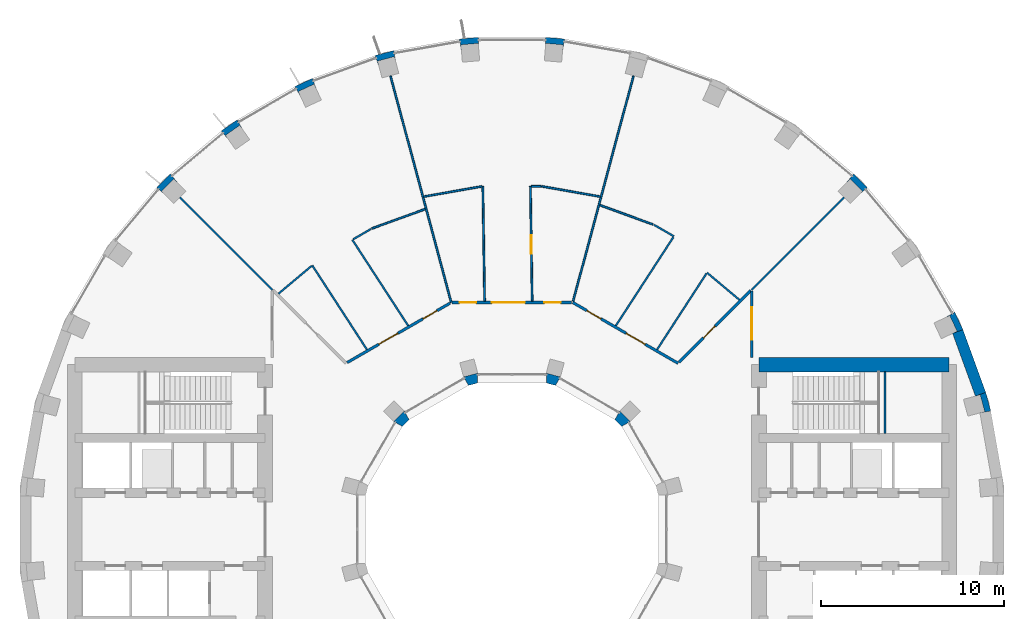
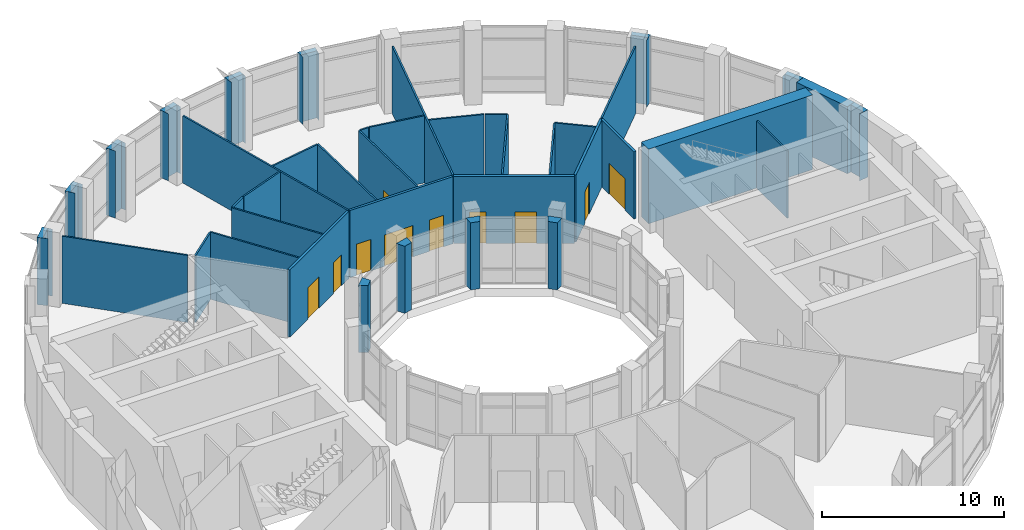
# One storey, part 15 of 18: 40 walls, 10 doors, 10 openings.
"""IFC4 building model written with IfcOpenShell, lengths in metres."""

from ifc_helpers import new_model, si_unit, direction, frame, frame_2d, origin, place, context, subcontext, project, spatial, polyline, rectangle, outline, extrude, material, layer, layer_set, type_object, element, fill, save


model = new_model("IFC4")

# Units and contexts
model_context = context("Model", 3, precision=1e-05, world=origin(), true_north=direction((0.0, 1.0)))
body_context = subcontext(model_context, "Body", "Model", "MODEL_VIEW")
ifc_project = project(units=[si_unit("LENGTHUNIT", "METRE"), si_unit("AREAUNIT", "SQUARE_METRE"), si_unit("VOLUMEUNIT", "CUBIC_METRE"), si_unit("PLANEANGLEUNIT", "RADIAN"), si_unit("MASSUNIT", "GRAM", prefix="KILO")], contexts=[model_context])

# Site, building, storey
site_placement = place(None, origin())
site = spatial("IfcSite", under=ifc_project, at=site_placement, CompositionType="ELEMENT")
building_placement = place(site_placement, origin())
building = spatial("IfcBuilding", under=site, at=building_placement, Name="Saqina Gate Tower", CompositionType="ELEMENT")
storey_placement = place(building_placement, frame((0.0, 0.0, 86.89990234375)))
storey = spatial("IfcBuildingStorey", under=building, at=storey_placement, Name="L24", CompositionType="ELEMENT", Elevation=86.89990234375)

# Walls
ifc_material_1 = material(Name="Brick masonry (buff)", Category="masonry")
wall_type_1 = type_object("IfcWallType", Name="BRICK PIER COPING BUFF", PredefinedType="SOLIDWALL", material=ifc_material_1)
wall_1_placement = place(storey_placement, origin())
element("IfcWall", 1, at=wall_1_placement, inside=storey, type_object=wall_type_1, Name="Pier cap L24 column 2", PredefinedType="SOLIDWALL", context=body_context, shape_type="SweptSolid", body=[
    extrude(outline(polyline([(26.171875, 6.466796875), (25.89892578125, 7.485595703125), (25.335205078125, 7.2802734375), (25.5947265625, 7.349853515625), (25.8408203125, 6.43212890625), (25.5810546875, 6.36279296875), (26.171875, 6.466796875)])), origin(), (0.0, 0.0, 1.0), 4.5),
])
wall_2_placement = place(storey_placement, origin())
element("IfcWall", 2, at=wall_2_placement, inside=storey, type_object=wall_type_1, Name="Pier cap L24 column 3", PredefinedType="SOLIDWALL", context=body_context, shape_type="SweptSolid", body=[
    extrude(outline(polyline([(24.6513671875, 10.913330078125), (24.205810546875, 11.869140625), (23.68603515625, 11.569091796875), (23.9296875, 11.6826171875), (24.331298828125, 10.82177734375), (24.08740234375, 10.7080078125), (24.6513671875, 10.913330078125)])), origin(), (0.0, 0.0, 1.0), 4.5),
])
wall_3_placement = place(storey_placement, origin())
element("IfcWall", 3, at=wall_3_placement, inside=storey, type_object=wall_type_1, Name="Pier cap L24 column 5", PredefinedType="SOLIDWALL", context=body_context, shape_type="SweptSolid", body=[
    extrude(outline(polyline([(19.43212890625, 18.686279296875), (18.686279296875, 19.43212890625), (18.30078125, 18.972412109375), (18.49072265625, 19.16259765625), (19.16259765625, 18.49072265625), (18.972412109375, 18.30078125), (19.43212890625, 18.686279296875)])), origin(), (0.0, 0.0, 1.0), 4.5),
])
wall_4_placement = place(storey_placement, origin())
element("IfcWall", 4, at=wall_4_placement, inside=storey, type_object=wall_type_1, Name="Pier cap L24 column 9", PredefinedType="SOLIDWALL", context=body_context, shape_type="SweptSolid", body=[
    extrude(outline(polyline([(2.87451171875, 26.805419921875), (1.823974609375, 26.897216796875), (1.823974609375, 26.29736328125), (1.847412109375, 26.565185546875), (2.793701171875, 26.482421875), (2.770263671875, 26.214599609375), (2.87451171875, 26.805419921875)])), origin(), (0.0, 0.0, 1.0), 4.5),
])
wall_5_placement = place(storey_placement, origin())
element("IfcWall", 5, at=wall_5_placement, inside=storey, type_object=wall_type_1, Name="Pier cap L24 column 10", PredefinedType="SOLIDWALL", context=body_context, shape_type="SweptSolid", body=[
    extrude(outline(polyline([(-2.87451171875, 26.805419921875), (-2.770263671875, 26.214599609375), (-2.793701171875, 26.482421875), (-1.847412109375, 26.565185546875), (-1.823974609375, 26.29736328125), (-1.823974609375, 26.897216796875), (-2.87451171875, 26.805419921875)])), origin(), (0.0, 0.0, 1.0), 4.5),
])
wall_6_placement = place(storey_placement, origin())
element("IfcWall", 6, at=wall_6_placement, inside=storey, type_object=wall_type_1, Name="Pier cap L24 column 11", PredefinedType="SOLIDWALL", context=body_context, shape_type="SweptSolid", body=[
    extrude(outline(polyline([(-6.466796875, 26.171875), (-7.485595703125, 25.89892578125), (-7.2802734375, 25.335205078125), (-7.349853515625, 25.5947265625), (-6.43212890625, 25.8408203125), (-6.36279296875, 25.5810546875), (-6.466796875, 26.171875)])), origin(), (0.0, 0.0, 1.0), 4.5),
])
wall_7_placement = place(storey_placement, origin())
element("IfcWall", 7, at=wall_7_placement, inside=storey, type_object=wall_type_1, Name="Pier cap L24 column 12", PredefinedType="SOLIDWALL", context=body_context, shape_type="SweptSolid", body=[
    extrude(outline(polyline([(-10.913330078125, 24.6513671875), (-11.869140625, 24.205810546875), (-11.569091796875, 23.68603515625), (-11.6826171875, 23.9296875), (-10.82177734375, 24.331298828125), (-10.7080078125, 24.08740234375), (-10.913330078125, 24.6513671875)])), origin(), (0.0, 0.0, 1.0), 4.5),
])
wall_8_placement = place(storey_placement, origin())
element("IfcWall", 8, at=wall_8_placement, inside=storey, type_object=wall_type_1, Name="Pier cap L24 column 13", PredefinedType="SOLIDWALL", context=body_context, shape_type="SweptSolid", body=[
    extrude(outline(polyline([(-15.89208984375, 21.77685546875), (-15.50634765625, 21.317138671875), (-15.66064453125, 21.53759765625), (-14.88232421875, 22.08251953125), (-14.728271484375, 21.862060546875), (-15.0283203125, 22.3818359375), (-15.89208984375, 21.77685546875)])), origin(), (0.0, 0.0, 1.0), 4.5),
])
wall_9_placement = place(storey_placement, origin())
element("IfcWall", 9, at=wall_9_placement, inside=storey, type_object=wall_type_1, Name="Pier cap L24 column 14", PredefinedType="SOLIDWALL", context=body_context, shape_type="SweptSolid", body=[
    extrude(outline(polyline([(-18.686279296875, 19.43212890625), (-19.43212890625, 18.686279296875), (-18.972412109375, 18.30078125), (-19.16259765625, 18.49072265625), (-18.49072265625, 19.16259765625), (-18.30078125, 18.972412109375), (-18.686279296875, 19.43212890625)])), origin(), (0.0, 0.0, 1.0), 4.5),
])
ifc_material_2 = material(Name="Glazed ceramic tile (dark blue)", Category="ceramic")
ifc_layer_1 = layer(ifc_material_2, 0.60009765625)
ifc_layer_set_1 = layer_set([ifc_layer_1], Name="FW-TILE-CB")
wall_type_2 = type_object("IfcWallType", Name="FW-TILE-CB", PredefinedType="SOLIDWALL", material=ifc_layer_set_1)
wall_10_placement = place(storey_placement, frame((25.616943359375, 7.3828125, 0.0), z_axis=(0.0, 0.0, 1.0), x_axis=(-0.341990236633, 0.939703505393, 0.0)))
element("IfcWall", 10, at=wall_10_placement, inside=storey, type_object=wall_type_2, Name="Facade wall L24 facet 2", PredefinedType="SOLIDWALL", context=body_context, shape_type="SweptSolid", body=[
    extrude(rectangle(XDim=3.64794921875, YDim=0.60009765625, at=frame_2d((1.823974609375, 0.0))), origin(), (0.0, 0.0, 1.0), 4.5),
])
ifc_material_3 = material(Name="Gypsum board on steel studs, 100 mm", Category="steel")
ifc_layer_2 = layer(ifc_material_3, 0.10009765625)
ifc_layer_set_2 = layer_set([ifc_layer_2], Name="SPECIAL PARTITION 100")
wall_type_3 = type_object("IfcWallType", Name="SPECIAL PARTITION 100", PredefinedType="PARTITIONING", material=ifc_layer_set_2)
wall_11_placement = place(storey_placement, frame((-1.594970703125, 18.7470703125, 0.0), z_axis=(0.0, 0.0, 1.0), x_axis=(0.015762930389, -0.999875757295, 0.0)))
element("IfcWall", 11, at=wall_11_placement, inside=storey, type_object=wall_type_3, Name="PARTITION 001", PredefinedType="PARTITIONING", context=body_context, shape_type="SweptSolid", body=[
    extrude(rectangle(XDim=6.272705078125, YDim=0.10009765625, at=frame_2d((3.13623046875, 0.0))), origin(), (0.0, 0.0, 1.0), 4.5),
])

# Wall, opening, door
wall_12_placement = place(storey_placement, frame((1.006103515625, 18.7470703125, 0.0), z_axis=(0.0, 0.0, 1.0), x_axis=(0.015568373772, -0.999878805525, 0.0)))
wall_12 = element("IfcWall", 12, at=wall_12_placement, inside=storey, type_object=wall_type_3, Name="PARTITION 002", PredefinedType="PARTITIONING", context=body_context, shape_type="SweptSolid", body=[
    extrude(rectangle(XDim=6.272705078125, YDim=0.10009765625, at=frame_2d((3.13623046875, 0.0))), origin(), (0.0, 0.0, 1.0), 4.5),
])
opening_1_placement = place(wall_12_placement, frame((2.673828125, 0.0, 0.0)))
opening_1 = element("IfcOpeningElement", 13, at=opening_1_placement, cuts=wall_12, Name="Opening L24-D06", PredefinedType="OPENING", context=body_context, shape_type="SweptSolid", body=[
    extrude(rectangle(XDim=1.0, YDim=2.10009765625, at=frame_2d((0.5, 1.050048828125))), frame((0.0, 0.06201171875, 0.0), z_axis=(0.0, -1.0, 0.0), x_axis=(1.0, 0.0, 0.0)), (0.0, 0.0, 1.0), 0.1240234375),
])
ifc_material_4 = material(Name="Timber door leaf", Category="wood")
door_type_1 = type_object("IfcDoorType", Name="SPECIAL DOOR 1000 TIMBER", OperationType="SINGLE_SWING_LEFT", PredefinedType="DOOR", material=ifc_material_4)
door_1_placement = place(opening_1_placement, frame((1.0, 0.0, 0.0), z_axis=(0.0, 0.0, 1.0), x_axis=(-1.0, 0.0, 0.0)))
door_1 = element("IfcDoor", 14, at=door_1_placement, inside=storey, type_object=door_type_1, Name="DOOR L24-D06", OperationType="SINGLE_SWING_LEFT", OverallHeight=2.10009765625, OverallWidth=1.0, PredefinedType="DOOR", context=body_context, shape_type="SweptSolid", body=[
    extrude(rectangle(XDim=1.0, YDim=2.10009765625, at=frame_2d((0.5, 1.050048828125))), frame((0.0, 0.02490234375, 0.0), z_axis=(0.0, -1.0, 0.0), x_axis=(1.0, 0.0, 0.0)), (0.0, 0.0, 1.0), 0.050048828125),
])
fill(opening_1, door_1)

# Walls
wall_13_placement = place(storey_placement, frame((-6.642578125, 24.79052734375, 0.0), z_axis=(0.0, 0.0, 1.0), x_axis=(0.258784286108, -0.965935139263, 0.0)))
element("IfcWall", 15, at=wall_13_placement, inside=storey, type_object=wall_type_3, Name="PARTITION 003", PredefinedType="PARTITIONING", context=body_context, shape_type="SweptSolid", body=[
    extrude(rectangle(XDim=12.82763671875, YDim=0.10009765625, at=frame_2d((6.413818359375, 0.0))), origin(), (0.0, 0.0, 1.0), 4.5),
])
wall_14_placement = place(storey_placement, frame((-10.919921875, 14.428955078125, 0.0), z_axis=(0.0, 0.0, 1.0), x_axis=(0.54460991282, -0.838689479401, 0.0)))
element("IfcWall", 16, at=wall_14_placement, inside=storey, type_object=wall_type_3, Name="PARTITION 007", PredefinedType="PARTITIONING", context=body_context, shape_type="SweptSolid", body=[
    extrude(rectangle(XDim=5.48828125, YDim=0.10009765625, at=frame_2d((2.744140625, 0.0))), origin(), (0.0, 0.0, 1.0), 4.5),
])
wall_15_placement = place(storey_placement, frame((-8.72900390625, 15.827880859375, 0.0), z_axis=(0.0, 0.0, 1.0), x_axis=(0.544769380459, -0.838585906222, 0.0)))
element("IfcWall", 17, at=wall_15_placement, inside=storey, type_object=wall_type_3, Name="PARTITION 008", PredefinedType="PARTITIONING", context=body_context, shape_type="SweptSolid", body=[
    extrude(rectangle(XDim=5.604736328125, YDim=0.10009765625, at=frame_2d((2.80224609375, 0.0))), origin(), (0.0, 0.0, 1.0), 4.5),
])
wall_16_placement = place(storey_placement, frame((-18.14794921875, 18.14794921875, 0.0), z_axis=(0.0, 0.0, 1.0), x_axis=(0.707106781187, -0.707106781187, 0.0)))
element("IfcWall", 18, at=wall_16_placement, inside=storey, type_object=wall_type_3, Name="PARTITION 009", PredefinedType="PARTITIONING", context=body_context, shape_type="SweptSolid", body=[
    extrude(rectangle(XDim=7.138671875, YDim=0.10009765625, at=frame_2d((3.5693359375, 0.0))), origin(), (0.0, 0.0, 1.0), 4.5),
])
wall_17_placement = place(storey_placement, frame((10.660888671875, 14.030029296875, 0.0), z_axis=(0.0, 0.0, 1.0), x_axis=(0.766117883764, -0.642700076378, 0.0)))
element("IfcWall", 19, at=wall_17_placement, inside=storey, type_object=wall_type_3, Name="PARTITION 014", PredefinedType="PARTITIONING", context=body_context, shape_type="SweptSolid", body=[
    extrude(rectangle(XDim=2.31640625, YDim=0.10009765625, at=frame_2d((1.158203125, 0.0))), origin(), (0.0, 0.0, 1.0), 4.5),
])
wall_18_placement = place(storey_placement, frame((7.761962890625, 16.64599609375, 0.0), z_axis=(0.0, 0.0, 1.0), x_axis=(0.866182356389, -0.499728051525, 0.0)))
element("IfcWall", 20, at=wall_18_placement, inside=storey, type_object=wall_type_3, Name="PARTITION 018", PredefinedType="PARTITIONING", context=body_context, shape_type="SweptSolid", body=[
    extrude(rectangle(XDim=1.258544921875, YDim=0.10009765625, at=frame_2d((0.62939453125, 0.0))), origin(), (0.0, 0.0, 1.0), 4.5),
])
wall_19_placement = place(storey_placement, frame((4.801025390625, 17.723876953125, 0.0), z_axis=(0.0, 0.0, 1.0), x_axis=(0.939676140835, -0.342065418225, 0.0)))
element("IfcWall", 21, at=wall_19_placement, inside=storey, type_object=wall_type_3, Name="PARTITION 020", PredefinedType="PARTITIONING", context=body_context, shape_type="SweptSolid", body=[
    extrude(rectangle(XDim=3.10107421875, YDim=0.10009765625, at=frame_2d((1.550537109375, 0.0))), origin(), (0.0, 0.0, 1.0), 4.5),
])
wall_20_placement = place(storey_placement, frame((1.639892578125, 18.7470703125, 0.0), z_axis=(0.0, 0.0, 1.0), x_axis=(0.984847393416, -0.173423215521, 0.0)))
element("IfcWall", 22, at=wall_20_placement, inside=storey, type_object=wall_type_3, Name="PARTITION 022", PredefinedType="PARTITIONING", context=body_context, shape_type="SweptSolid", body=[
    extrude(rectangle(XDim=3.23095703125, YDim=0.10009765625, at=frame_2d((1.615478515625, 0.0))), origin(), (0.0, 0.0, 1.0), 4.5),
])
wall_21_placement = place(storey_placement, frame((1.055908203125, 18.7470703125, 0.0), z_axis=(0.0, 0.0, 1.0), x_axis=(1.0, 0.0, 0.0)))
element("IfcWall", 23, at=wall_21_placement, inside=storey, type_object=wall_type_3, Name="PARTITION 026", PredefinedType="PARTITIONING", context=body_context, shape_type="SweptSolid", body=[
    extrude(rectangle(XDim=0.5341796875, YDim=0.10009765625, at=frame_2d((0.26708984375, 0.0))), origin(), (0.0, 0.0, 1.0), 4.5),
])
wall_22_placement = place(storey_placement, frame((-4.82177734375, 18.186767578125, 0.0), z_axis=(0.0, 0.0, 1.0), x_axis=(0.984847393416, 0.173423215521, 0.0)))
element("IfcWall", 24, at=wall_22_placement, inside=storey, type_object=wall_type_3, Name="PARTITION 028", PredefinedType="PARTITIONING", context=body_context, shape_type="SweptSolid", body=[
    extrude(rectangle(XDim=3.23095703125, YDim=0.10009765625, at=frame_2d((1.615478515625, 0.0))), origin(), (0.0, 0.0, 1.0), 4.5),
])
wall_23_placement = place(storey_placement, frame((-7.6669921875, 16.44189453125, 0.0), z_axis=(0.0, 0.0, 1.0), x_axis=(0.93972467972, 0.34193204928, 0.0)))
element("IfcWall", 25, at=wall_23_placement, inside=storey, type_object=wall_type_3, Name="PARTITION 030", PredefinedType="PARTITIONING", context=body_context, shape_type="SweptSolid", body=[
    extrude(rectangle(XDim=3.111572265625, YDim=0.10009765625, at=frame_2d((1.5556640625, 0.0))), origin(), (0.0, 0.0, 1.0), 4.5),
])
wall_24_placement = place(storey_placement, frame((-8.685791015625, 15.85302734375, 0.0), z_axis=(0.0, 0.0, 1.0), x_axis=(0.865752432539, 0.500472502294, 0.0)))
element("IfcWall", 26, at=wall_24_placement, inside=storey, type_object=wall_type_3, Name="PARTITION 034", PredefinedType="PARTITIONING", context=body_context, shape_type="SweptSolid", body=[
    extrude(rectangle(XDim=1.126953125, YDim=0.10009765625, at=frame_2d((0.5634765625, 0.0))), origin(), (0.0, 0.0, 1.0), 4.5),
])
wall_25_placement = place(storey_placement, frame((-12.7705078125, 12.876220703125, 0.0), z_axis=(0.0, 0.0, 1.0), x_axis=(0.766025974986, 0.642809618508, 0.0)))
element("IfcWall", 27, at=wall_25_placement, inside=storey, type_object=wall_type_3, Name="PARTITION 036", PredefinedType="PARTITIONING", context=body_context, shape_type="SweptSolid", body=[
    extrude(rectangle(XDim=2.36572265625, YDim=0.10009765625, at=frame_2d((1.182861328125, 0.0))), origin(), (0.0, 0.0, 1.0), 4.5),
])
wall_26_placement = place(storey_placement, frame((13.10009765625, 13.10009765625, 0.0), z_axis=(0.0, 0.0, 1.0), x_axis=(0.707106781187, 0.707106781187, 0.0)))
element("IfcWall", 28, at=wall_26_placement, inside=storey, type_object=wall_type_3, Name="PARTITION 038", PredefinedType="PARTITIONING", context=body_context, shape_type="SweptSolid", body=[
    extrude(rectangle(XDim=7.138671875, YDim=0.10009765625, at=frame_2d((3.5693359375, 0.0))), origin(), (0.0, 0.0, 1.0), 4.5),
])
wall_27_placement = place(storey_placement, frame((7.930908203125, 9.825927734375, 0.0), z_axis=(0.0, 0.0, 1.0), x_axis=(0.544635552354, 0.838672829602, 0.0)))
element("IfcWall", 29, at=wall_27_placement, inside=storey, type_object=wall_type_3, Name="PARTITION 041", PredefinedType="PARTITIONING", context=body_context, shape_type="SweptSolid", body=[
    extrude(rectangle(XDim=4.962646484375, YDim=0.10009765625, at=frame_2d((2.4814453125, 0.0))), origin(), (0.0, 0.0, 1.0), 4.5),
])
wall_28_placement = place(storey_placement, frame((5.67578125, 11.1279296875, 0.0), z_axis=(0.0, 0.0, 1.0), x_axis=(0.544777517704, 0.838580619979, 0.0)))
element("IfcWall", 30, at=wall_28_placement, inside=storey, type_object=wall_type_3, Name="PARTITION 042", PredefinedType="PARTITIONING", context=body_context, shape_type="SweptSolid", body=[
    extrude(rectangle(XDim=5.7802734375, YDim=0.10009765625, at=frame_2d((2.89013671875, 0.0))), origin(), (0.0, 0.0, 1.0), 4.5),
])
wall_29_placement = place(storey_placement, frame((3.34228515625, 12.472412109375, 0.0), z_axis=(0.0, 0.0, 1.0), x_axis=(0.258799243674, 0.965931131848, 0.0)))
element("IfcWall", 31, at=wall_29_placement, inside=storey, type_object=wall_type_3, Name="PARTITION 046", PredefinedType="PARTITIONING", context=body_context, shape_type="SweptSolid", body=[
    extrude(rectangle(XDim=12.75244140625, YDim=0.10009765625, at=frame_2d((6.376220703125, 0.0))), origin(), (0.0, 0.0, 1.0), 4.5),
])

# Wall, openings, doors
ifc_material_5 = material(Name="Gypsum board on steel studs, 150 mm, fire rated", Category="steel")
ifc_layer_3 = layer(ifc_material_5, 0.14990234375)
ifc_layer_set_3 = layer_set([ifc_layer_3], Name="SPECIAL PARTITION EI 30 150")
wall_type_4 = type_object("IfcWallType", Name="SPECIAL PARTITION EI 30 150", PredefinedType="PARTITIONING", material=ifc_layer_set_3)
wall_30_placement = place(storey_placement, frame((3.322998046875, 12.39990234375, 0.0), z_axis=(0.0, 0.0, 1.0), x_axis=(0.865961614908, -0.500110469302, 0.0)))
wall_30 = element("IfcWall", 32, at=wall_30_placement, inside=storey, type_object=wall_type_4, Name="PARTITION 017", PredefinedType="PARTITIONING", context=body_context, shape_type="SweptSolid", body=[
    extrude(rectangle(XDim=6.64453125, YDim=0.14990234375, at=frame_2d((3.322265625, 0.0))), origin(), (0.0, 0.0, 1.0), 4.5),
])
opening_2_placement = place(wall_30_placement, frame((3.37158203125, 0.0, 0.0)))
opening_2 = element("IfcOpeningElement", 33, at=opening_2_placement, cuts=wall_30, Name="Opening L24-D03", PredefinedType="OPENING", context=body_context, shape_type="SweptSolid", body=[
    extrude(rectangle(XDim=1.199951171875, YDim=2.10009765625, at=frame_2d((0.60009765625, 1.050048828125))), frame((0.0, 0.0869140625, 0.0), z_axis=(0.0, -1.0, 0.0), x_axis=(1.0, 0.0, 0.0)), (0.0, 0.0, 1.0), 0.173828125),
])
opening_3_placement = place(wall_30_placement, frame((0.885009765625, 0.0, 0.0)))
opening_3 = element("IfcOpeningElement", 34, at=opening_3_placement, cuts=wall_30, Name="Opening L24-D04", PredefinedType="OPENING", context=body_context, shape_type="SweptSolid", body=[
    extrude(rectangle(XDim=0.89990234375, YDim=2.10009765625, at=frame_2d((0.449951171875, 1.050048828125))), frame((0.0, 0.0869140625, 0.0), z_axis=(0.0, -1.0, 0.0), x_axis=(1.0, 0.0, 0.0)), (0.0, 0.0, 1.0), 0.173828125),
])
ifc_material_6 = material(Name="Steel-framed fire door leaf, EI 30", Category="steel")
door_type_2 = type_object("IfcDoorType", Name="SPECIAL DOOR 1200 FIRE EI 30", OperationType="SINGLE_SWING_LEFT", PredefinedType="DOOR", material=ifc_material_6)
door_2_placement = place(opening_2_placement, frame((1.199951171875, 0.0, 0.0), z_axis=(0.0, 0.0, 1.0), x_axis=(-1.0, 0.0, 0.0)))
door_2 = element("IfcDoor", 35, at=door_2_placement, inside=storey, type_object=door_type_2, Name="DOOR L24-D03", OperationType="SINGLE_SWING_LEFT", OverallHeight=2.10009765625, OverallWidth=1.199951171875, PredefinedType="DOOR", context=body_context, shape_type="SweptSolid", body=[
    extrude(rectangle(XDim=1.199951171875, YDim=2.10009765625, at=frame_2d((0.60009765625, 1.050048828125))), frame((0.0, 0.02490234375, 0.0), z_axis=(0.0, -1.0, 0.0), x_axis=(1.0, 0.0, 0.0)), (0.0, 0.0, 1.0), 0.050048828125),
])
fill(opening_2, door_2)
ifc_material_7 = material(Name="Steel-framed fire door leaf, EI 30", Category="steel")
door_type_3 = type_object("IfcDoorType", Name="SPECIAL DOOR 900 FIRE EI 30", OperationType="SINGLE_SWING_LEFT", PredefinedType="DOOR", material=ifc_material_7)
door_3_placement = place(opening_3_placement, origin())
door_3 = element("IfcDoor", 36, at=door_3_placement, inside=storey, type_object=door_type_3, Name="DOOR L24-D04", OperationType="SINGLE_SWING_LEFT", OverallHeight=2.10009765625, OverallWidth=0.89990234375, PredefinedType="DOOR", context=body_context, shape_type="SweptSolid", body=[
    extrude(rectangle(XDim=0.89990234375, YDim=2.10009765625, at=frame_2d((0.449951171875, 1.050048828125))), frame((0.0, 0.02490234375, 0.0), z_axis=(0.0, -1.0, 0.0), x_axis=(1.0, 0.0, 0.0)), (0.0, 0.0, 1.0), 0.050048828125),
])
fill(opening_3, door_3)

wall_31_placement = place(storey_placement, frame((-3.27294921875, 12.39990234375, 0.0), z_axis=(0.0, 0.0, 1.0), x_axis=(1.0, 0.0, 0.0)))
wall_31 = element("IfcWall", 37, at=wall_31_placement, inside=storey, type_object=wall_type_4, Name="PARTITION 025", PredefinedType="PARTITIONING", context=body_context, shape_type="SweptSolid", body=[
    extrude(rectangle(XDim=6.52099609375, YDim=0.14990234375, at=frame_2d((3.260498046875, 0.0))), origin(), (0.0, 0.0, 1.0), 4.5),
])
opening_4_placement = place(wall_31_placement, frame((5.037109375, 0.0, 0.0)))
opening_4 = element("IfcOpeningElement", 38, at=opening_4_placement, cuts=wall_31, Name="Opening L24-D05", PredefinedType="OPENING", context=body_context, shape_type="SweptSolid", body=[
    extrude(rectangle(XDim=0.89990234375, YDim=2.10009765625, at=frame_2d((0.449951171875, 1.050048828125))), frame((0.0, 0.0869140625, 0.0), z_axis=(0.0, -1.0, 0.0), x_axis=(1.0, 0.0, 0.0)), (0.0, 0.0, 1.0), 0.173828125),
])
opening_5_placement = place(wall_31_placement, frame((2.177978515625, 0.0, 0.0)))
opening_5 = element("IfcOpeningElement", 39, at=opening_5_placement, cuts=wall_31, Name="Opening L24-D07", PredefinedType="OPENING", context=body_context, shape_type="SweptSolid", body=[
    extrude(rectangle(XDim=1.800048828125, YDim=2.10009765625, at=frame_2d((0.89990234375, 1.050048828125))), frame((0.0, 0.0869140625, 0.0), z_axis=(0.0, -1.0, 0.0), x_axis=(1.0, 0.0, 0.0)), (0.0, 0.0, 1.0), 0.173828125),
])
opening_6_placement = place(wall_31_placement, frame((0.4140625, 0.0, 0.0)))
opening_6 = element("IfcOpeningElement", 40, at=opening_6_placement, cuts=wall_31, Name="Opening L24-D08", PredefinedType="OPENING", context=body_context, shape_type="SweptSolid", body=[
    extrude(rectangle(XDim=0.89990234375, YDim=2.10009765625, at=frame_2d((0.449951171875, 1.050048828125))), frame((0.0, 0.0869140625, 0.0), z_axis=(0.0, -1.0, 0.0), x_axis=(1.0, 0.0, 0.0)), (0.0, 0.0, 1.0), 0.173828125),
])
door_4_placement = place(opening_4_placement, origin())
door_4 = element("IfcDoor", 41, at=door_4_placement, inside=storey, type_object=door_type_3, Name="DOOR L24-D05", OperationType="SINGLE_SWING_RIGHT", OverallHeight=2.10009765625, OverallWidth=0.89990234375, PredefinedType="DOOR", context=body_context, shape_type="SweptSolid", body=[
    extrude(rectangle(XDim=0.89990234375, YDim=2.10009765625, at=frame_2d((0.449951171875, 1.050048828125))), frame((0.0, 0.02490234375, 0.0), z_axis=(0.0, -1.0, 0.0), x_axis=(1.0, 0.0, 0.0)), (0.0, 0.0, 1.0), 0.050048828125),
])
fill(opening_4, door_4)
door_5_placement = place(opening_6_placement, origin())
door_5 = element("IfcDoor", 42, at=door_5_placement, inside=storey, type_object=door_type_3, Name="DOOR L24-D08", OperationType="SINGLE_SWING_RIGHT", OverallHeight=2.10009765625, OverallWidth=0.89990234375, PredefinedType="DOOR", context=body_context, shape_type="SweptSolid", body=[
    extrude(rectangle(XDim=0.89990234375, YDim=2.10009765625, at=frame_2d((0.449951171875, 1.050048828125))), frame((0.0, 0.02490234375, 0.0), z_axis=(0.0, -1.0, 0.0), x_axis=(1.0, 0.0, 0.0)), (0.0, 0.0, 1.0), 0.050048828125),
])
fill(opening_6, door_5)
ifc_material_8 = material(Name="Steel-framed fire door leaf, EI 30", Category="steel")
door_type_4 = type_object("IfcDoorType", Name="SPECIAL DOUBLE DOOR 1800 FIRE EI 30", OperationType="DOUBLE_DOOR_SINGLE_SWING", PredefinedType="DOOR", material=ifc_material_8)
door_6_placement = place(opening_5_placement, frame((1.800048828125, 0.0, 0.0), z_axis=(0.0, 0.0, 1.0), x_axis=(-1.0, 0.0, 0.0)))
door_6 = element("IfcDoor", 43, at=door_6_placement, inside=storey, type_object=door_type_4, Name="DOOR L24-D07", OperationType="DOUBLE_DOOR_SINGLE_SWING", OverallHeight=2.10009765625, OverallWidth=1.800048828125, PredefinedType="DOOR", context=body_context, shape_type="SweptSolid", body=[
    extrude(rectangle(XDim=1.800048828125, YDim=2.10009765625, at=frame_2d((0.89990234375, 1.050048828125))), frame((0.0, 0.02490234375, 0.0), z_axis=(0.0, -1.0, 0.0), x_axis=(1.0, 0.0, 0.0)), (0.0, 0.0, 1.0), 0.050048828125),
])
fill(opening_5, door_6)

wall_32_placement = place(storey_placement, frame((-9.01220703125, 9.114501953125, 0.0), z_axis=(0.0, 0.0, 1.0), x_axis=(0.865967095912, 0.5001009786, 0.0)))
wall_32 = element("IfcWall", 44, at=wall_32_placement, inside=storey, type_object=wall_type_4, Name="PARTITION 033", PredefinedType="PARTITIONING", context=body_context, shape_type="SweptSolid", body=[
    extrude(rectangle(XDim=6.494873046875, YDim=0.14990234375, at=frame_2d((3.24755859375, 0.0))), origin(), (0.0, 0.0, 1.0), 4.5),
])
opening_7_placement = place(wall_32_placement, frame((4.78466796875, 0.0, 0.0)))
opening_7 = element("IfcOpeningElement", 45, at=opening_7_placement, cuts=wall_32, Name="Opening L24-D09", PredefinedType="OPENING", context=body_context, shape_type="SweptSolid", body=[
    extrude(rectangle(XDim=0.89990234375, YDim=2.10009765625, at=frame_2d((0.449951171875, 1.050048828125))), frame((0.0, 0.0869140625, 0.0), z_axis=(0.0, -1.0, 0.0), x_axis=(1.0, 0.0, 0.0)), (0.0, 0.0, 1.0), 0.173828125),
])
opening_8_placement = place(wall_32_placement, frame((1.997802734375, 0.0, 0.0)))
opening_8 = element("IfcOpeningElement", 46, at=opening_8_placement, cuts=wall_32, Name="Opening L24-D10", PredefinedType="OPENING", context=body_context, shape_type="SweptSolid", body=[
    extrude(rectangle(XDim=1.199951171875, YDim=2.10009765625, at=frame_2d((0.60009765625, 1.050048828125))), frame((0.0, 0.0869140625, 0.0), z_axis=(0.0, -1.0, 0.0), x_axis=(1.0, 0.0, 0.0)), (0.0, 0.0, 1.0), 0.173828125),
])
door_7_placement = place(opening_8_placement, frame((1.199951171875, 0.0, 0.0), z_axis=(0.0, 0.0, 1.0), x_axis=(-1.0, 0.0, 0.0)))
door_7 = element("IfcDoor", 47, at=door_7_placement, inside=storey, type_object=door_type_2, Name="DOOR L24-D10", OperationType="SINGLE_SWING_RIGHT", OverallHeight=2.10009765625, OverallWidth=1.199951171875, PredefinedType="DOOR", context=body_context, shape_type="SweptSolid", body=[
    extrude(rectangle(XDim=1.199951171875, YDim=2.10009765625, at=frame_2d((0.60009765625, 1.050048828125))), frame((0.0, 0.02490234375, 0.0), z_axis=(0.0, -1.0, 0.0), x_axis=(1.0, 0.0, 0.0)), (0.0, 0.0, 1.0), 0.050048828125),
])
fill(opening_8, door_7)
door_8_placement = place(opening_7_placement, origin())
door_8 = element("IfcDoor", 48, at=door_8_placement, inside=storey, type_object=door_type_3, Name="DOOR L24-D09", OperationType="SINGLE_SWING_RIGHT", OverallHeight=2.10009765625, OverallWidth=0.89990234375, PredefinedType="DOOR", context=body_context, shape_type="SweptSolid", body=[
    extrude(rectangle(XDim=0.89990234375, YDim=2.10009765625, at=frame_2d((0.449951171875, 1.050048828125))), frame((0.0, 0.02490234375, 0.0), z_axis=(0.0, -1.0, 0.0), x_axis=(1.0, 0.0, 0.0)), (0.0, 0.0, 1.0), 0.050048828125),
])
fill(opening_7, door_8)

# Wall, opening, door
wall_33_placement = place(storey_placement, frame((9.1298828125, 9.1298828125, 0.0), z_axis=(0.0, 0.0, 1.0), x_axis=(0.707106781187, 0.707106781187, 0.0)))
wall_33 = element("IfcWall", 49, at=wall_33_placement, inside=storey, type_object=wall_type_4, Name="PARTITION 040", PredefinedType="PARTITIONING", context=body_context, shape_type="SweptSolid", body=[
    extrude(rectangle(XDim=5.544677734375, YDim=0.14990234375, at=frame_2d((2.7724609375, 0.0))), origin(), (0.0, 0.0, 1.0), 4.5),
])
opening_9_placement = place(wall_33_placement, frame((1.890380859375, 0.0, 0.0)))
opening_9 = element("IfcOpeningElement", 50, at=opening_9_placement, cuts=wall_33, Name="Opening L24-D02", PredefinedType="OPENING", context=body_context, shape_type="SweptSolid", body=[
    extrude(rectangle(XDim=0.89990234375, YDim=2.10009765625, at=frame_2d((0.449951171875, 1.050048828125))), frame((0.0, 0.0869140625, 0.0), z_axis=(0.0, -1.0, 0.0), x_axis=(1.0, 0.0, 0.0)), (0.0, 0.0, 1.0), 0.173828125),
])
door_9_placement = place(opening_9_placement, origin())
door_9 = element("IfcDoor", 51, at=door_9_placement, inside=storey, type_object=door_type_3, Name="DOOR L24-D02", OperationType="SINGLE_SWING_LEFT", OverallHeight=2.10009765625, OverallWidth=0.89990234375, PredefinedType="DOOR", context=body_context, shape_type="SweptSolid", body=[
    extrude(rectangle(XDim=0.89990234375, YDim=2.10009765625, at=frame_2d((0.449951171875, 1.050048828125))), frame((0.0, 0.02490234375, 0.0), z_axis=(0.0, -1.0, 0.0), x_axis=(1.0, 0.0, 0.0)), (0.0, 0.0, 1.0), 0.050048828125),
])
fill(opening_9, door_9)

wall_34_placement = place(storey_placement, frame((13.10009765625, 9.39990234375, 0.0), z_axis=(0.0, 0.0, 1.0), x_axis=(0.0, 1.0, 0.0)))
wall_34 = element("IfcWall", 52, at=wall_34_placement, inside=storey, type_object=wall_type_4, Name="PARTITION 050", PredefinedType="PARTITIONING", context=body_context, shape_type="SweptSolid", body=[
    extrude(rectangle(XDim=3.625, YDim=0.14990234375, at=frame_2d((1.8125, 0.0))), origin(), (0.0, 0.0, 1.0), 4.5),
])
opening_10_placement = place(wall_34_placement, frame((0.949951171875, 0.0, 0.0)))
opening_10 = element("IfcOpeningElement", 53, at=opening_10_placement, cuts=wall_34, Name="Opening L24-D01", PredefinedType="OPENING", context=body_context, shape_type="SweptSolid", body=[
    extrude(rectangle(XDim=1.800048828125, YDim=2.10009765625, at=frame_2d((0.89990234375, 1.050048828125))), frame((0.0, 0.0869140625, 0.0), z_axis=(0.0, -1.0, 0.0), x_axis=(1.0, 0.0, 0.0)), (0.0, 0.0, 1.0), 0.173828125),
])
door_10_placement = place(opening_10_placement, frame((1.800048828125, 0.0, 0.0), z_axis=(0.0, 0.0, 1.0), x_axis=(-1.0, 0.0, 0.0)))
door_10 = element("IfcDoor", 54, at=door_10_placement, inside=storey, type_object=door_type_4, Name="DOOR L24-D01", OperationType="DOUBLE_DOOR_SINGLE_SWING", OverallHeight=2.10009765625, OverallWidth=1.800048828125, PredefinedType="DOOR", context=body_context, shape_type="SweptSolid", body=[
    extrude(rectangle(XDim=1.800048828125, YDim=2.10009765625, at=frame_2d((0.89990234375, 1.050048828125))), frame((0.0, 0.02490234375, 0.0), z_axis=(0.0, -1.0, 0.0), x_axis=(1.0, 0.0, 0.0)), (0.0, 0.0, 1.0), 0.050048828125),
])
fill(opening_10, door_10)

# Walls
ifc_material_9 = material(Name="Autoclaved aerated concrete block", Category="concrete")
ifc_layer_4 = layer(ifc_material_9, 0.10009765625)
ifc_layer_set_4 = layer_set([ifc_layer_4], Name="STAIR ENCLOSURE WALL")
wall_type_5 = type_object("IfcWallType", Name="STAIR ENCLOSURE WALL", PredefinedType="PARTITIONING", material=ifc_layer_set_4)
wall_35_placement = place(storey_placement, frame((20.389892578125, 5.25, 0.0), z_axis=(0.0, 0.0, 1.0), x_axis=(0.0, 1.0, 0.0)))
element("IfcWall", 55, at=wall_35_placement, inside=storey, type_object=wall_type_5, Name="L24-CP-E08", PredefinedType="PARTITIONING", context=body_context, shape_type="SweptSolid", body=[
    extrude(rectangle(XDim=3.35009765625, YDim=0.10009765625, at=frame_2d((1.675048828125, 0.0))), origin(), (0.0, 0.0, 1.0), 4.5),
])
ifc_material_10 = material(Name="Concrete C70/85", Category="concrete")
ifc_layer_5 = layer(ifc_material_10, 0.800048828125)
ifc_layer_set_5 = layer_set([ifc_layer_5], Name="Concrete C70/85")
wall_type_6 = type_object("IfcWallType", Name="STR-CORE WALL-B-O", PredefinedType="SHEAR", material=ifc_layer_set_5)
wall_36_placement = place(storey_placement, frame((13.5, 9.0, 0.0), z_axis=(0.0, 0.0, 1.0), x_axis=(1.0, 0.0, 0.0)))
element("IfcWall", 56, at=wall_36_placement, inside=storey, type_object=wall_type_6, Name="CORE WALL L24 E-NE", PredefinedType="SHEAR", context=body_context, shape_type="SweptSolid", body=[
    extrude(rectangle(XDim=10.39990234375, YDim=0.800048828125, at=frame_2d((5.199951171875, 0.0))), origin(), (0.0, 0.0, 1.0), 5.0),
])
ifc_material_11 = material(Name="Glazed ceramic tile", Category="ceramic")
wall_type_7 = type_object("IfcWallType", Name="TILE PIER COPING", PredefinedType="SOLIDWALL", material=ifc_material_11)
wall_37_placement = place(storey_placement, origin())
element("IfcWall", 57, at=wall_37_placement, inside=storey, type_object=wall_type_7, Name="Well pier cap L24 column 2", PredefinedType="SOLIDWALL", context=body_context, shape_type="SweptSolid", body=[
    extrude(outline(polyline([(5.891845703125, 6.45751953125), (5.622802734375, 5.991455078125), (5.991455078125, 5.622802734375), (6.45751953125, 5.891845703125), (5.891845703125, 6.45751953125)])), origin(), (0.0, 0.0, 1.0), 4.5),
])
wall_38_placement = place(storey_placement, origin())
element("IfcWall", 58, at=wall_38_placement, inside=storey, type_object=wall_type_7, Name="Well pier cap L24 column 3", PredefinedType="SOLIDWALL", context=body_context, shape_type="SweptSolid", body=[
    extrude(outline(polyline([(1.873779296875, 8.5380859375), (1.873779296875, 8.0), (2.377197265625, 7.864990234375), (2.646484375, 8.3310546875), (1.873779296875, 8.5380859375)])), origin(), (0.0, 0.0, 1.0), 4.5),
])
wall_39_placement = place(storey_placement, origin())
element("IfcWall", 59, at=wall_39_placement, inside=storey, type_object=wall_type_7, Name="Well pier cap L24 column 4", PredefinedType="SOLIDWALL", context=body_context, shape_type="SweptSolid", body=[
    extrude(outline(polyline([(-2.646484375, 8.3310546875), (-2.377197265625, 7.864990234375), (-1.873779296875, 8.0), (-1.873779296875, 8.5380859375), (-2.646484375, 8.3310546875)])), origin(), (0.0, 0.0, 1.0), 4.5),
])
wall_40_placement = place(storey_placement, origin())
element("IfcWall", 60, at=wall_40_placement, inside=storey, type_object=wall_type_7, Name="Well pier cap L24 column 5", PredefinedType="SOLIDWALL", context=body_context, shape_type="SweptSolid", body=[
    extrude(outline(polyline([(-6.45751953125, 5.891845703125), (-5.991455078125, 5.622802734375), (-5.622802734375, 5.991455078125), (-5.891845703125, 6.45751953125), (-6.45751953125, 5.891845703125)])), origin(), (0.0, 0.0, 1.0), 4.5),
])

save(model, "model.ifc")
